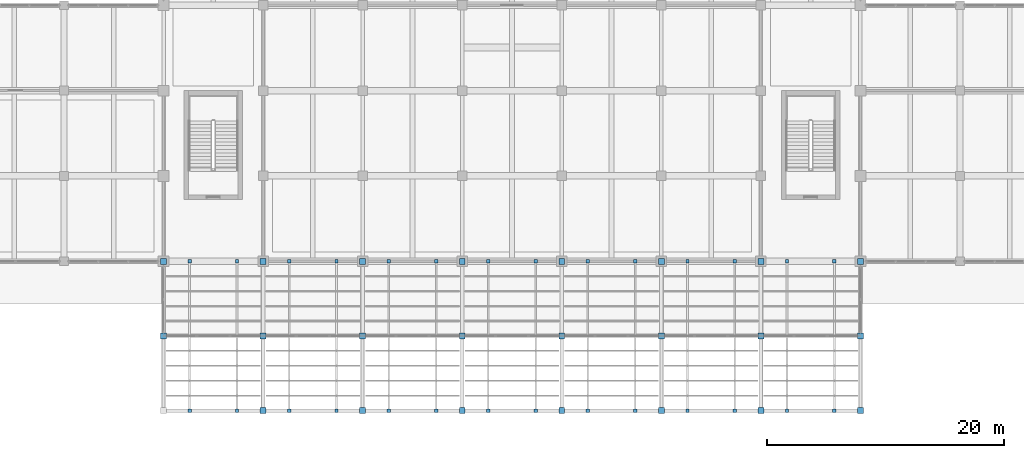
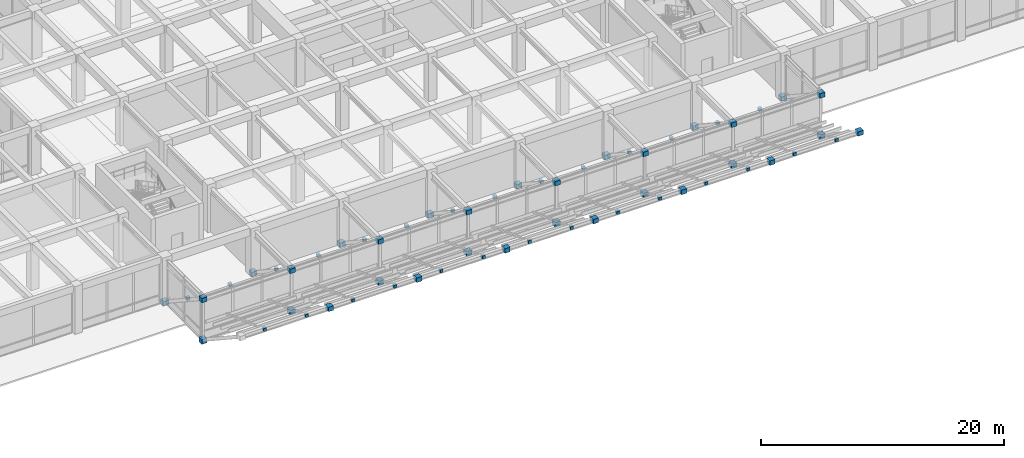
# One storey, part 32 of 52: 59 plates.
"""IFC4 building model written with IfcOpenShell, lengths in metres."""

from ifc_helpers import new_model, si_unit, direction, frame, origin, origin_2d, place, context, subcontext, project, spatial, rectangle, extrude, material, layer, layer_set, type_object, element, save


model = new_model("IFC4")

# Units and contexts
model_context = context("Model", 3, precision=1e-05, world=origin(), true_north=direction((0.0, 1.0)))
body_context = subcontext(model_context, "Body", "Model", "MODEL_VIEW")
ifc_project = project(units=[si_unit("LENGTHUNIT", "METRE"), si_unit("AREAUNIT", "SQUARE_METRE"), si_unit("VOLUMEUNIT", "CUBIC_METRE"), si_unit("PLANEANGLEUNIT", "RADIAN"), si_unit("MASSUNIT", "GRAM", prefix="KILO")], contexts=[model_context])

# Site, building, storey
site_placement = place(None, origin())
site = spatial("IfcSite", under=ifc_project, at=site_placement, CompositionType="ELEMENT")
building_placement = place(site_placement, origin())
building = spatial("IfcBuilding", under=site, at=building_placement, Name="Kenerak Square Central Library", CompositionType="ELEMENT")
storey_placement = place(building_placement, frame((0.0, 0.0, 4.800048828125)))
storey = spatial("IfcBuildingStorey", under=building, at=storey_placement, Name="L01", CompositionType="ELEMENT", Elevation=4.800048828125)

# Plates
ifc_material = material(Name="Steel S355", Category="steel")
ifc_layer_1 = layer(ifc_material, 0.02490234375)
ifc_layer_set_1 = layer_set([ifc_layer_1], Name="Steel S355")
plate_type_1 = type_object("IfcPlateType", Name="Lantern Cap Plate LNP-01 25mm S355", PredefinedType="USERDEFINED", material=ifc_layer_set_1)
for number, where, z_axis, x_axis, name in (
    (1, (60.60009765625, 16.800048828125, -0.55029296875), (0.0, 0.0, 1.0), (1.0, 0.0, 0.0), "Subframe End Cap LNP-01 0113"),
    (2, (60.60009765625, 4.199951171875, 4.0), (0.0, 0.0, 1.0), (1.0, 0.0, 0.0), "Subframe End Cap LNP-01 0114"),
    (3, (64.60009765625, 16.800048828125, -0.55029296875), (0.0, 0.0, 1.0), (1.0, 0.0, 0.0), "Subframe End Cap LNP-01 0115"),
    (4, (64.60009765625, 4.199951171875, 4.0), (0.0, 0.0, 1.0), (1.0, 0.0, 0.0), "Subframe End Cap LNP-01 0116"),
    (5, (69.0, 16.800048828125, -0.55029296875), (0.0, 0.0, 1.0), (1.0, 0.0, 0.0), "Subframe End Cap LNP-01 0117"),
    (6, (69.0, 4.199951171875, 4.0), (0.0, 0.0, 1.0), (1.0, 0.0, 0.0), "Subframe End Cap LNP-01 0118"),
    (7, (73.0, 16.800048828125, -0.55029296875), (0.0, 0.0, 1.0), (1.0, 0.0, 0.0), "Subframe End Cap LNP-01 0119"),
    (8, (73.0, 4.199951171875, 4.0), (0.0, 0.0, 1.0), (1.0, 0.0, 0.0), "Subframe End Cap LNP-01 0120"),
    (9, (77.39990234375, 16.800048828125, -0.55029296875), (0.0, 0.0, 1.0), (1.0, 0.0, 0.0), "Subframe End Cap LNP-01 0121"),
    (10, (77.39990234375, 4.199951171875, 4.0), (0.0, 0.0, 1.0), (1.0, 0.0, 0.0), "Subframe End Cap LNP-01 0122"),
    (11, (81.39990234375, 16.800048828125, -0.55029296875), (0.0, 0.0, 1.0), (1.0, 0.0, 0.0), "Subframe End Cap LNP-01 0123"),
    (12, (81.39990234375, 4.199951171875, 4.0), (0.0, 0.0, 1.0), (1.0, 0.0, 0.0), "Subframe End Cap LNP-01 0124"),
    (13, (85.800048828125, 16.800048828125, -0.55029296875), (0.0, 0.0, 1.0), (1.0, 0.0, 0.0), "Subframe End Cap LNP-01 0125"),
    (14, (85.800048828125, 4.199951171875, 4.0), (0.0, 0.0, 1.0), (1.0, 0.0, 0.0), "Subframe End Cap LNP-01 0126"),
    (15, (89.800048828125, 16.800048828125, -0.55029296875), (0.0, 0.0, 1.0), (1.0, 0.0, 0.0), "Subframe End Cap LNP-01 0127"),
    (16, (89.800048828125, 4.199951171875, 4.0), (0.0, 0.0, 1.0), (1.0, 0.0, 0.0), "Subframe End Cap LNP-01 0128"),
    (17, (94.199951171875, 16.800048828125, -0.55029296875), (0.0, 0.0, 1.0), (1.0, 0.0, 0.0), "Subframe End Cap LNP-01 0129"),
    (18, (94.199951171875, 4.199951171875, 4.0), (0.0, 0.0, 1.0), (1.0, 0.0, 0.0), "Subframe End Cap LNP-01 0130"),
    (19, (98.199951171875, 16.800048828125, -0.55029296875), (0.0, 0.0, 1.0), (1.0, 0.0, 0.0), "Subframe End Cap LNP-01 0131"),
    (20, (98.199951171875, 4.199951171875, 4.0), (0.0, 0.0, 1.0), (1.0, 0.0, 0.0), "Subframe End Cap LNP-01 0132"),
    (21, (102.60009765625, 16.800048828125, -0.55029296875), (0.0, 0.0, 1.0), (1.0, 0.0, 0.0), "Subframe End Cap LNP-01 0133"),
    (22, (102.60009765625, 4.199951171875, 4.0), (0.0, 0.0, 1.0), (1.0, 0.0, 0.0), "Subframe End Cap LNP-01 0134"),
    (23, (106.60009765625, 16.800048828125, -0.55029296875), (0.0, 0.0, 1.0), (1.0, 0.0, 0.0), "Subframe End Cap LNP-01 0135"),
    (24, (106.60009765625, 4.199951171875, 4.0), (0.0, 0.0, 1.0), (1.0, 0.0, 0.0), "Subframe End Cap LNP-01 0136"),
    (25, (111.0, 16.800048828125, -0.55029296875), (0.0, 0.0, 1.0), (1.0, 0.0, 0.0), "Subframe End Cap LNP-01 0137"),
    (26, (111.0, 4.199951171875, 4.0), (0.0, 0.0, 1.0), (1.0, 0.0, 0.0), "Subframe End Cap LNP-01 0138"),
    (27, (115.0, 16.800048828125, -0.55029296875), (0.0, 0.0, 1.0), (1.0, 0.0, 0.0), "Subframe End Cap LNP-01 0139"),
    (28, (115.0, 4.199951171875, 4.0), (0.0, 0.0, 1.0), (1.0, 0.0, 0.0), "Subframe End Cap LNP-01 0140"),
):
    element("IfcPlate", number, at=place(storey_placement, frame(where, z_axis=z_axis, x_axis=x_axis)), inside=storey, type_object=plate_type_1, Name=name, ObjectType="GUSSET PLATE", PredefinedType="USERDEFINED", context=body_context, shape_type="SweptSolid", body=[
        extrude(rectangle(XDim=0.280029296875, YDim=0.280029296875, at=origin_2d()), origin(), (0.0, 0.0, 1.0), 0.300048828125),
    ])
ifc_layer_2 = layer(ifc_material, 0.050048828125)
ifc_layer_set_2 = layer_set([ifc_layer_2], Name="Steel S355")
plate_type_2 = type_object("IfcPlateType", Name="Raking Strut Base Node KTN-02 50mm S355", PredefinedType="USERDEFINED", material=ifc_layer_set_2)
for number, where, z_axis, x_axis, name in (
    (29, (58.39990234375, 16.800048828125, -0.22509765625), (0.0, 0.0, 1.0), (1.0, 0.0, 0.0), "Raking Strut Node Plate KTN-02 0011"),
    (30, (58.39990234375, 10.5, -0.22509765625), (0.0, 0.0, 1.0), (1.0, 0.0, 0.0), "Raking Strut Node Plate KTN-02 0012"),
    (31, (58.39990234375, 10.5, 3.9248046875), (0.0, 0.0, 1.0), (1.0, 0.0, 0.0), "Raking Strut Node Plate KTN-02 0013"),
    (32, (66.800048828125, 16.800048828125, -0.22509765625), (0.0, 0.0, 1.0), (1.0, 0.0, 0.0), "Raking Strut Node Plate KTN-02 0025"),
    (33, (66.800048828125, 10.5, -0.22509765625), (0.0, 0.0, 1.0), (1.0, 0.0, 0.0), "Raking Strut Node Plate KTN-02 0026"),
    (34, (66.800048828125, 10.5, 3.9248046875), (0.0, 0.0, 1.0), (1.0, 0.0, 0.0), "Raking Strut Node Plate KTN-02 0027"),
    (35, (66.800048828125, 4.199951171875, 3.9248046875), (0.0, 0.0, 1.0), (1.0, 0.0, 0.0), "Raking Strut Node Plate KTN-02 0028"),
    (36, (75.199951171875, 16.800048828125, -0.22509765625), (0.0, 0.0, 1.0), (1.0, 0.0, 0.0), "Raking Strut Node Plate KTN-02 0039"),
    (37, (75.199951171875, 10.5, -0.22509765625), (0.0, 0.0, 1.0), (1.0, 0.0, 0.0), "Raking Strut Node Plate KTN-02 0040"),
    (38, (75.199951171875, 10.5, 3.9248046875), (0.0, 0.0, 1.0), (1.0, 0.0, 0.0), "Raking Strut Node Plate KTN-02 0041"),
    (39, (75.199951171875, 4.199951171875, 3.9248046875), (0.0, 0.0, 1.0), (1.0, 0.0, 0.0), "Raking Strut Node Plate KTN-02 0042"),
    (40, (83.60009765625, 16.800048828125, -0.22509765625), (0.0, 0.0, 1.0), (1.0, 0.0, 0.0), "Raking Strut Node Plate KTN-02 0053"),
    (41, (83.60009765625, 10.5, -0.22509765625), (0.0, 0.0, 1.0), (1.0, 0.0, 0.0), "Raking Strut Node Plate KTN-02 0054"),
    (42, (83.60009765625, 10.5, 3.9248046875), (0.0, 0.0, 1.0), (1.0, 0.0, 0.0), "Raking Strut Node Plate KTN-02 0055"),
    (43, (83.60009765625, 4.199951171875, 3.9248046875), (0.0, 0.0, 1.0), (1.0, 0.0, 0.0), "Raking Strut Node Plate KTN-02 0056"),
    (44, (92.0, 16.800048828125, -0.22509765625), (0.0, 0.0, 1.0), (1.0, 0.0, 0.0), "Raking Strut Node Plate KTN-02 0067"),
    (45, (92.0, 10.5, -0.22509765625), (0.0, 0.0, 1.0), (1.0, 0.0, 0.0), "Raking Strut Node Plate KTN-02 0068"),
    (46, (92.0, 10.5, 3.9248046875), (0.0, 0.0, 1.0), (1.0, 0.0, 0.0), "Raking Strut Node Plate KTN-02 0069"),
    (47, (92.0, 4.199951171875, 3.9248046875), (0.0, 0.0, 1.0), (1.0, 0.0, 0.0), "Raking Strut Node Plate KTN-02 0070"),
    (48, (100.39990234375, 16.800048828125, -0.22509765625), (0.0, 0.0, 1.0), (1.0, 0.0, 0.0), "Raking Strut Node Plate KTN-02 0081"),
    (49, (100.39990234375, 10.5, -0.22509765625), (0.0, 0.0, 1.0), (1.0, 0.0, 0.0), "Raking Strut Node Plate KTN-02 0082"),
    (50, (100.39990234375, 10.5, 3.9248046875), (0.0, 0.0, 1.0), (1.0, 0.0, 0.0), "Raking Strut Node Plate KTN-02 0083"),
    (51, (100.39990234375, 4.199951171875, 3.9248046875), (0.0, 0.0, 1.0), (1.0, 0.0, 0.0), "Raking Strut Node Plate KTN-02 0084"),
    (52, (108.800048828125, 16.800048828125, -0.22509765625), (0.0, 0.0, 1.0), (1.0, 0.0, 0.0), "Raking Strut Node Plate KTN-02 0095"),
    (53, (108.800048828125, 10.5, -0.22509765625), (0.0, 0.0, 1.0), (1.0, 0.0, 0.0), "Raking Strut Node Plate KTN-02 0096"),
    (54, (108.800048828125, 10.5, 3.9248046875), (0.0, 0.0, 1.0), (1.0, 0.0, 0.0), "Raking Strut Node Plate KTN-02 0097"),
    (55, (108.800048828125, 4.199951171875, 3.9248046875), (0.0, 0.0, 1.0), (1.0, 0.0, 0.0), "Raking Strut Node Plate KTN-02 0098"),
    (56, (117.199951171875, 16.800048828125, -0.22509765625), (0.0, 0.0, 1.0), (1.0, 0.0, 0.0), "Raking Strut Node Plate KTN-02 0109"),
    (57, (117.199951171875, 10.5, -0.22509765625), (0.0, 0.0, 1.0), (1.0, 0.0, 0.0), "Raking Strut Node Plate KTN-02 0110"),
    (58, (117.199951171875, 10.5, 3.9248046875), (0.0, 0.0, 1.0), (1.0, 0.0, 0.0), "Raking Strut Node Plate KTN-02 0111"),
    (59, (117.199951171875, 4.199951171875, 3.9248046875), (0.0, 0.0, 1.0), (1.0, 0.0, 0.0), "Raking Strut Node Plate KTN-02 0112"),
):
    element("IfcPlate", number, at=place(storey_placement, frame(where, z_axis=z_axis, x_axis=x_axis)), inside=storey, type_object=plate_type_2, Name=name, ObjectType="GUSSET PLATE", PredefinedType="USERDEFINED", context=body_context, shape_type="SweptSolid", body=[
        extrude(rectangle(XDim=0.5, YDim=0.5, at=origin_2d()), origin(), (0.0, 0.0, 1.0), 0.449951171875),
    ])

save(model, "model.ifc")
